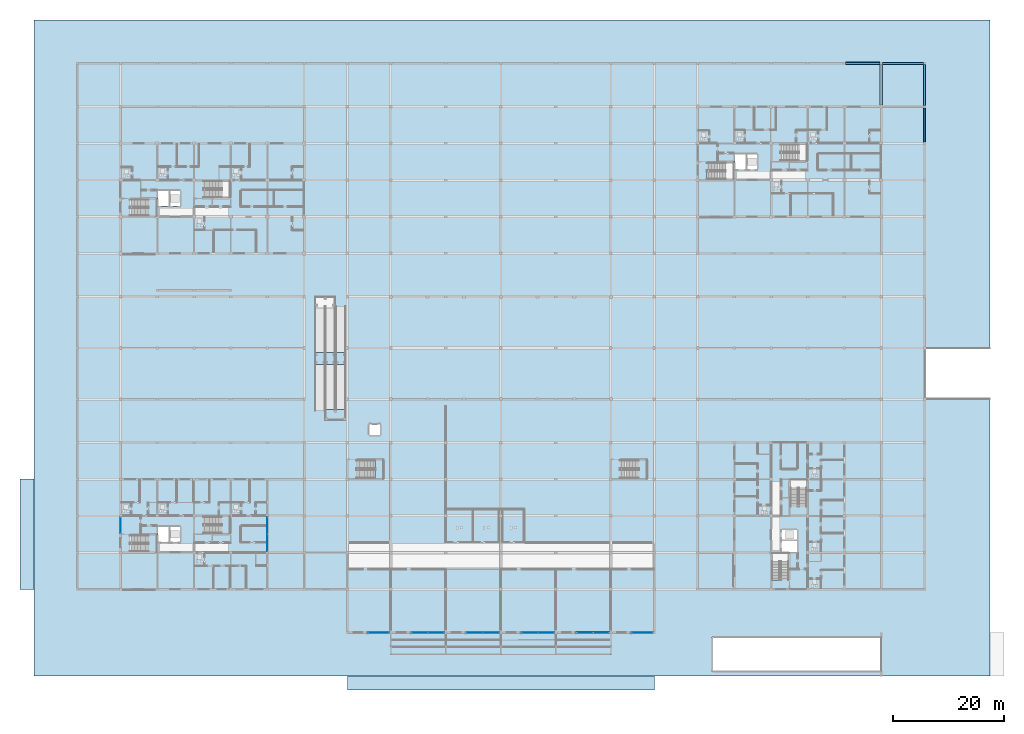
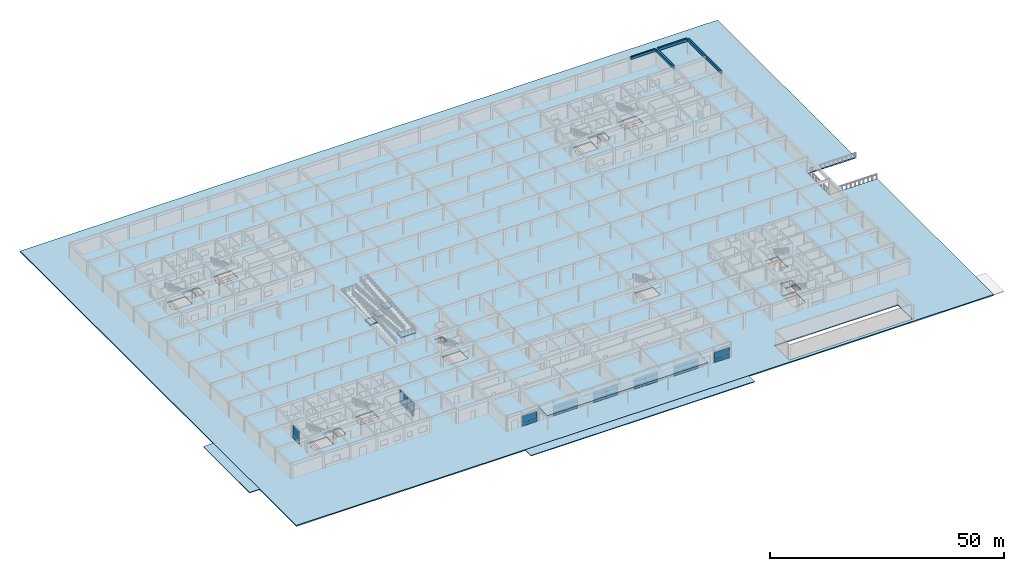
# One storey, part 45 of 75: 26 plates, 13 slabs, 5 beams, 14 elements without a shape of their own.
"""IFC4 building model written with IfcOpenShell, lengths in metres."""

from ifc_helpers import new_model, si_unit, direction, frame, origin, origin_2d, place, context, subcontext, project, spatial, polyline, rectangle, outline, extrude, material, layer, layer_set, material_profile, profile_set, type_object, element, aggregate, save


model = new_model("IFC4")

# Units and contexts
model_context = context("Model", 3, precision=1e-05, world=origin(), true_north=direction((0.0, 1.0)))
body_context = subcontext(model_context, "Body", "Model", "MODEL_VIEW")
ifc_project = project(units=[si_unit("LENGTHUNIT", "METRE"), si_unit("AREAUNIT", "SQUARE_METRE"), si_unit("VOLUMEUNIT", "CUBIC_METRE"), si_unit("PLANEANGLEUNIT", "RADIAN"), si_unit("MASSUNIT", "GRAM", prefix="KILO")], contexts=[model_context])

# Site, building, storey
site_placement = place(None, origin())
site = spatial("IfcSite", under=ifc_project, at=site_placement, CompositionType="ELEMENT")
building_placement = place(site_placement, origin())
building = spatial("IfcBuilding", under=site, at=building_placement, Name="Kernevlak Ridge Housing Community", CompositionType="ELEMENT")
storey_placement = place(building_placement, origin())
storey = spatial("IfcBuildingStorey", under=building, at=storey_placement, Name="L00", CompositionType="ELEMENT", Elevation=0.0)

# Beams
ifc_material_1 = material(Name="Concrete C35/45", Category="concrete")
ifc_material_profile_1 = material_profile(ifc_material_1, rectangle(XDim=0.39990234375, YDim=0.699951171875, at=origin_2d()), Name="RC 400x700")
ifc_profile_set_1 = profile_set([ifc_material_profile_1], Name="Concrete C35/45")
beam_type_1 = type_object("IfcBeamType", Name="B-01", PredefinedType="BEAM", material=ifc_profile_set_1)
beam_1_placement = place(storey_placement, frame((152.625, 110.199951171875, 3.85009765625), z_axis=(1.0, 0.0, 0.0), x_axis=(0.0, 1.0, 0.0)))
element("IfcBeam", 1, at=beam_1_placement, inside=storey, type_object=beam_type_1, Name="Beam B-01 L00 2268", PredefinedType="BEAM", context=body_context, shape_type="SweptSolid", body=[
    extrude(rectangle(XDim=0.39990234375, YDim=0.699951171875, at=origin_2d()), origin(), (0.0, 0.0, 1.0), 7.35009765625),
])
beam_2_placement = place(storey_placement, frame((152.39990234375, 102.72509765625, 3.85009765625), z_axis=(0.0, 1.0, 0.0), x_axis=(-1.0, 0.0, 0.0)))
element("IfcBeam", 2, at=beam_2_placement, inside=storey, type_object=beam_type_1, Name="Beam B-01 L00 2388", PredefinedType="BEAM", context=body_context, shape_type="SweptSolid", body=[
    extrude(rectangle(XDim=0.39990234375, YDim=0.699951171875, at=origin_2d()), origin(), (0.0, 0.0, 1.0), 7.25),
])
beam_3_placement = place(storey_placement, frame((160.199951171875, 102.625, 3.85009765625), z_axis=(0.0, 1.0, 0.0), x_axis=(-1.0, 0.0, 0.0)))
element("IfcBeam", 3, at=beam_3_placement, inside=storey, type_object=beam_type_1, Name="Beam B-01 L00 2401", PredefinedType="BEAM", context=body_context, shape_type="SweptSolid", body=[
    extrude(rectangle(XDim=0.39990234375, YDim=0.699951171875, at=origin_2d()), origin(), (0.0, 0.0, 1.0), 7.35009765625),
])
ifc_material_profile_2 = material_profile(ifc_material_1, rectangle(XDim=0.35009765625, YDim=0.64990234375, at=origin_2d()), Name="RC 350x650")
ifc_profile_set_2 = profile_set([ifc_material_profile_2], Name="Concrete C35/45")
beam_type_2 = type_object("IfcBeamType", Name="B-02", PredefinedType="BEAM", material=ifc_profile_set_2)
for number, where, z_axis, x_axis, name in (
    (4, (146.02490234375, 110.199951171875, 3.875), (1.0, 0.0, 0.0), (0.0, 1.0, 0.0), "Beam B-02 L00 2267"),
    (5, (160.199951171875, 96.02490234375, 3.875), (0.0, 1.0, 0.0), (-1.0, 0.0, 0.0), "Beam B-02 L00 2400"),
):
    element("IfcBeam", number, at=place(storey_placement, frame(where, z_axis=z_axis, x_axis=x_axis)), inside=storey, type_object=beam_type_2, Name=name, PredefinedType="BEAM", context=body_context, shape_type="SweptSolid", body=[
        extrude(rectangle(XDim=0.35009765625, YDim=0.64990234375, at=origin_2d()), origin(), (0.0, 0.0, 1.0), 6.150146484375),
    ])

# Curtain wall, plate
ifc_material_2 = material(Name="Aluminium EN AW-6060 anodised and laminated glass", Category="aluminium")
curtain_wall_type_1 = type_object("IfcCurtainWallType", Name="CW-02", PredefinedType="NOTDEFINED", material=ifc_material_2)
curtain_wall_1_placement = place(storey_placement, origin())
curtain_wall_1 = element("IfcCurtainWall", 6, at=curtain_wall_1_placement, inside=storey, type_object=curtain_wall_type_1, Name="Curtain wall CW-02 CW-L00-140", PredefinedType="NOTDEFINED")
ifc_material_3 = material(Name="Acoustic laminated double glazing glass", Category="glass")
ifc_layer_1 = layer(ifc_material_3, 0.028076171875, Name="Acoustic laminated double glazing glass")
ifc_layer_set_1 = layer_set([ifc_layer_1], Name="Acoustic laminated double glazing glass")
plate_type_1 = type_object("IfcPlateType", Name="CP-02", PredefinedType="CURTAIN_PANEL", material=ifc_layer_set_1)
plate_1_placement = place(storey_placement, frame((15.60009765625, 27.092529296875, 0.88232421875), z_axis=(0.0, 0.0, 1.0), x_axis=(0.0, 1.0, 0.0)))
plate_1 = element("IfcPlate", 7, at=plate_1_placement, type_object=plate_type_1, Name="CW-02 panel 1.2", PredefinedType="CURTAIN_PANEL", context=body_context, shape_type="SweptSolid", body=[
    extrude(rectangle(XDim=2.8349609375, YDim=0.028076171875, at=origin_2d()), origin(), (0.0, 0.0, 1.0), 2.652587890625),
])

# Curtain wall, plates
curtain_wall_2_placement = place(storey_placement, origin())
curtain_wall_2 = element("IfcCurtainWall", 8, at=curtain_wall_2_placement, inside=storey, type_object=curtain_wall_type_1, Name="Curtain wall CW-02 CW-L00-141", PredefinedType="NOTDEFINED")
plate_2_placement = place(storey_placement, frame((42.0, 23.976318359375, 0.87744140625), z_axis=(0.0, 0.0, 1.0), x_axis=(0.0, 1.0, 0.0)))
plate_2 = element("IfcPlate", 9, at=plate_2_placement, type_object=plate_type_1, Name="CW-02 panel 1.2", PredefinedType="CURTAIN_PANEL", context=body_context, shape_type="SweptSolid", body=[
    extrude(rectangle(XDim=2.992431640625, YDim=0.028076171875, at=origin_2d()), origin(), (0.0, 0.0, 1.0), 2.66748046875),
])
plate_3_placement = place(storey_placement, frame((42.0, 27.023681640625, 0.87744140625), z_axis=(0.0, 0.0, 1.0), x_axis=(0.0, 1.0, 0.0)))
plate_3 = element("IfcPlate", 10, at=plate_3_placement, type_object=plate_type_1, Name="CW-02 panel 2.2", PredefinedType="CURTAIN_PANEL", context=body_context, shape_type="SweptSolid", body=[
    extrude(rectangle(XDim=2.992431640625, YDim=0.028076171875, at=origin_2d()), origin(), (0.0, 0.0, 1.0), 2.66748046875),
])

# Curtain wall, plate
curtain_wall_type_2 = type_object("IfcCurtainWallType", Name="CW-01", PredefinedType="NOTDEFINED", material=ifc_material_2)
curtain_wall_3_placement = place(storey_placement, origin())
curtain_wall_3 = element("IfcCurtainWall", 11, at=curtain_wall_3_placement, inside=storey, type_object=curtain_wall_type_2, Name="Curtain wall CW-01 CW-L00-169", PredefinedType="NOTDEFINED")
plate_4_placement = place(storey_placement, frame((62.02490234375, 7.800048828125, 0.8798828125), z_axis=(0.0, 0.0, 1.0), x_axis=(1.0, 0.0, 0.0)))
plate_4 = element("IfcPlate", 12, at=plate_4_placement, type_object=plate_type_1, Name="CW-01 panel 1.2", PredefinedType="CURTAIN_PANEL", context=body_context, shape_type="SweptSolid", body=[
    extrude(rectangle(XDim=3.72998046875, YDim=0.028076171875, at=origin_2d()), origin(), (0.0, 0.0, 1.0), 1.81005859375),
])

# Curtain wall, plates
curtain_wall_4_placement = place(storey_placement, origin())
curtain_wall_4 = element("IfcCurtainWall", 13, at=curtain_wall_4_placement, inside=storey, type_object=curtain_wall_type_1, Name="Curtain wall CW-02 CW-L00-170", PredefinedType="NOTDEFINED")
plate_5_placement = place(storey_placement, frame((69.40380859375, 7.800048828125, 0.88232421875), z_axis=(0.0, 0.0, 1.0), x_axis=(1.0, 0.0, 0.0)))
plate_5 = element("IfcPlate", 14, at=plate_5_placement, type_object=plate_type_1, Name="CW-02 panel 1.2", PredefinedType="CURTAIN_PANEL", context=body_context, shape_type="SweptSolid", body=[
    extrude(rectangle(XDim=2.87744140625, YDim=0.028076171875, at=origin_2d()), origin(), (0.0, 0.0, 1.0), 1.802490234375),
])
plate_6_placement = place(storey_placement, frame((72.34619140625, 7.800048828125, 0.88232421875), z_axis=(0.0, 0.0, 1.0), x_axis=(1.0, 0.0, 0.0)))
plate_6 = element("IfcPlate", 15, at=plate_6_placement, type_object=plate_type_1, Name="CW-02 panel 2.2", PredefinedType="CURTAIN_PANEL", context=body_context, shape_type="SweptSolid", body=[
    extrude(rectangle(XDim=2.87744140625, YDim=0.028076171875, at=origin_2d()), origin(), (0.0, 0.0, 1.0), 1.802490234375),
])

curtain_wall_type_3 = type_object("IfcCurtainWallType", Name="CW-03", PredefinedType="NOTDEFINED", material=ifc_material_2)
curtain_wall_5_placement = place(storey_placement, origin())
curtain_wall_5 = element("IfcCurtainWall", 16, at=curtain_wall_5_placement, inside=storey, type_object=curtain_wall_type_3, Name="Curtain wall CW-03 CW-L00-171", PredefinedType="NOTDEFINED")
plate_7_placement = place(storey_placement, frame((79.30126953125, 7.800048828125, 0.87744140625), z_axis=(0.0, 0.0, 1.0), x_axis=(1.0, 0.0, 0.0)))
plate_7 = element("IfcPlate", 17, at=plate_7_placement, type_object=plate_type_1, Name="CW-03 panel 1.2", PredefinedType="CURTAIN_PANEL", context=body_context, shape_type="SweptSolid", body=[
    extrude(rectangle(XDim=2.892578125, YDim=0.028076171875, at=origin_2d()), origin(), (0.0, 0.0, 1.0), 1.8173828125),
])
plate_8_placement = place(storey_placement, frame((82.248779296875, 7.800048828125, 0.87744140625), z_axis=(0.0, 0.0, 1.0), x_axis=(1.0, 0.0, 0.0)))
plate_8 = element("IfcPlate", 18, at=plate_8_placement, type_object=plate_type_1, Name="CW-03 panel 2.2", PredefinedType="CURTAIN_PANEL", context=body_context, shape_type="SweptSolid", body=[
    extrude(rectangle(XDim=2.892578125, YDim=0.028076171875, at=origin_2d()), origin(), (0.0, 0.0, 1.0), 1.8173828125),
])

curtain_wall_type_4 = type_object("IfcCurtainWallType", Name="CW-04", PredefinedType="NOTDEFINED", material=ifc_material_2)
curtain_wall_6_placement = place(storey_placement, origin())
curtain_wall_6 = element("IfcCurtainWall", 19, at=curtain_wall_6_placement, inside=storey, type_object=curtain_wall_type_4, Name="Curtain wall CW-04 CW-L00-172", PredefinedType="NOTDEFINED")
plate_9_placement = place(storey_placement, frame((89.202392578125, 7.800048828125, 0.8798828125), z_axis=(0.0, 0.0, 1.0), x_axis=(1.0, 0.0, 0.0)))
plate_9 = element("IfcPlate", 20, at=plate_9_placement, type_object=plate_type_1, Name="CW-04 panel 1.2", PredefinedType="CURTAIN_PANEL", context=body_context, shape_type="SweptSolid", body=[
    extrude(rectangle(XDim=2.885009765625, YDim=0.028076171875, at=origin_2d()), origin(), (0.0, 0.0, 1.0), 1.81005859375),
])
plate_10_placement = place(storey_placement, frame((92.1474609375, 7.800048828125, 0.8798828125), z_axis=(0.0, 0.0, 1.0), x_axis=(1.0, 0.0, 0.0)))
plate_10 = element("IfcPlate", 21, at=plate_10_placement, type_object=plate_type_1, Name="CW-04 panel 2.2", PredefinedType="CURTAIN_PANEL", context=body_context, shape_type="SweptSolid", body=[
    extrude(rectangle(XDim=2.885009765625, YDim=0.028076171875, at=origin_2d()), origin(), (0.0, 0.0, 1.0), 1.81005859375),
])

curtain_wall_type_5 = type_object("IfcCurtainWallType", Name="CW-05", PredefinedType="NOTDEFINED", material=ifc_material_2)
curtain_wall_7_placement = place(storey_placement, origin())
curtain_wall_7 = element("IfcCurtainWall", 22, at=curtain_wall_7_placement, inside=storey, type_object=curtain_wall_type_5, Name="Curtain wall CW-05 CW-L00-173", PredefinedType="NOTDEFINED")
plate_11_placement = place(storey_placement, frame((99.103759765625, 7.800048828125, 0.88232421875), z_axis=(0.0, 0.0, 1.0), x_axis=(1.0, 0.0, 0.0)))
plate_11 = element("IfcPlate", 23, at=plate_11_placement, type_object=plate_type_1, Name="CW-05 panel 1.2", PredefinedType="CURTAIN_PANEL", context=body_context, shape_type="SweptSolid", body=[
    extrude(rectangle(XDim=2.87744140625, YDim=0.028076171875, at=origin_2d()), origin(), (0.0, 0.0, 1.0), 1.802490234375),
])
plate_12_placement = place(storey_placement, frame((102.046142578125, 7.800048828125, 0.88232421875), z_axis=(0.0, 0.0, 1.0), x_axis=(1.0, 0.0, 0.0)))
plate_12 = element("IfcPlate", 24, at=plate_12_placement, type_object=plate_type_1, Name="CW-05 panel 2.2", PredefinedType="CURTAIN_PANEL", context=body_context, shape_type="SweptSolid", body=[
    extrude(rectangle(XDim=2.87744140625, YDim=0.028076171875, at=origin_2d()), origin(), (0.0, 0.0, 1.0), 1.802490234375),
])

# Curtain wall, plate
curtain_wall_type_6 = type_object("IfcCurtainWallType", Name="CW-06", PredefinedType="NOTDEFINED", material=ifc_material_2)
curtain_wall_8_placement = place(storey_placement, origin())
curtain_wall_8 = element("IfcCurtainWall", 25, at=curtain_wall_8_placement, inside=storey, type_object=curtain_wall_type_6, Name="Curtain wall CW-06 CW-L00-174", PredefinedType="NOTDEFINED")
plate_13_placement = place(storey_placement, frame((109.425048828125, 7.800048828125, 0.87744140625), z_axis=(0.0, 0.0, 1.0), x_axis=(1.0, 0.0, 0.0)))
plate_13 = element("IfcPlate", 26, at=plate_13_placement, type_object=plate_type_1, Name="CW-06 panel 1.2", PredefinedType="CURTAIN_PANEL", context=body_context, shape_type="SweptSolid", body=[
    extrude(rectangle(XDim=3.739990234375, YDim=0.028076171875, at=origin_2d()), origin(), (0.0, 0.0, 1.0), 1.8173828125),
])

# Plate
ifc_material_4 = material(Name="Aluminium EN AW-5005 enamelled panel", Category="aluminium")
ifc_layer_2 = layer(ifc_material_4, 0.033935546875, Name="Aluminium EN AW-5005 enamelled panel")
ifc_layer_set_2 = layer_set([ifc_layer_2], Name="Aluminium EN AW-5005 enamelled panel")
plate_type_2 = type_object("IfcPlateType", Name="CP-03", PredefinedType="CURTAIN_PANEL", material=ifc_layer_set_2)
plate_14_placement = place(storey_placement, frame((15.60009765625, 27.092529296875, 0.06494140625), z_axis=(0.0, 0.0, 1.0), x_axis=(0.0, 1.0, 0.0)))
plate_14 = element("IfcPlate", 27, at=plate_14_placement, type_object=plate_type_2, Name="CW-02 panel 1.1", PredefinedType="CURTAIN_PANEL", context=body_context, shape_type="SweptSolid", body=[
    extrude(rectangle(XDim=2.8349609375, YDim=0.033935546875, at=origin_2d()), origin(), (0.0, 0.0, 1.0), 0.75244140625),
])

aggregate(curtain_wall_1, [plate_14, plate_1])

plate_15_placement = place(storey_placement, frame((62.02490234375, 7.800048828125, 0.06005859375), z_axis=(0.0, 0.0, 1.0), x_axis=(1.0, 0.0, 0.0)))
plate_15 = element("IfcPlate", 28, at=plate_15_placement, type_object=plate_type_2, Name="CW-01 panel 1.1", PredefinedType="CURTAIN_PANEL", context=body_context, shape_type="SweptSolid", body=[
    extrude(rectangle(XDim=3.72998046875, YDim=0.033935546875, at=origin_2d()), origin(), (0.0, 0.0, 1.0), 0.760009765625),
])

aggregate(curtain_wall_3, [plate_15, plate_4])

plate_16_placement = place(storey_placement, frame((109.425048828125, 7.800048828125, 0.054931640625), z_axis=(0.0, 0.0, 1.0), x_axis=(1.0, 0.0, 0.0)))
plate_16 = element("IfcPlate", 29, at=plate_16_placement, type_object=plate_type_2, Name="CW-06 panel 1.1", PredefinedType="CURTAIN_PANEL", context=body_context, shape_type="SweptSolid", body=[
    extrude(rectangle(XDim=3.739990234375, YDim=0.033935546875, at=origin_2d()), origin(), (0.0, 0.0, 1.0), 0.767578125),
])

aggregate(curtain_wall_8, [plate_16, plate_13])

ifc_layer_3 = layer(ifc_material_4, 0.0380859375, Name="Aluminium EN AW-5005 enamelled panel")
ifc_layer_set_3 = layer_set([ifc_layer_3], Name="Aluminium EN AW-5005 enamelled panel")
plate_type_3 = type_object("IfcPlateType", Name="CP-04", PredefinedType="CURTAIN_PANEL", material=ifc_layer_set_3)
plate_17_placement = place(storey_placement, frame((42.0, 23.976318359375, 0.054931640625), z_axis=(0.0, 0.0, 1.0), x_axis=(0.0, 1.0, 0.0)))
plate_17 = element("IfcPlate", 30, at=plate_17_placement, type_object=plate_type_3, Name="CW-02 panel 1.1", PredefinedType="CURTAIN_PANEL", context=body_context, shape_type="SweptSolid", body=[
    extrude(rectangle(XDim=2.992431640625, YDim=0.0380859375, at=origin_2d()), origin(), (0.0, 0.0, 1.0), 0.767578125),
])

plate_18_placement = place(storey_placement, frame((42.0, 27.023681640625, 0.054931640625), z_axis=(0.0, 0.0, 1.0), x_axis=(0.0, 1.0, 0.0)))
plate_18 = element("IfcPlate", 31, at=plate_18_placement, type_object=plate_type_3, Name="CW-02 panel 2.1", PredefinedType="CURTAIN_PANEL", context=body_context, shape_type="SweptSolid", body=[
    extrude(rectangle(XDim=2.992431640625, YDim=0.0380859375, at=origin_2d()), origin(), (0.0, 0.0, 1.0), 0.767578125),
])

aggregate(curtain_wall_2, [plate_17, plate_2, plate_18, plate_3])

plate_19_placement = place(storey_placement, frame((69.40380859375, 7.800048828125, 0.06494140625), z_axis=(0.0, 0.0, 1.0), x_axis=(1.0, 0.0, 0.0)))
plate_19 = element("IfcPlate", 32, at=plate_19_placement, type_object=plate_type_3, Name="CW-02 panel 1.1", PredefinedType="CURTAIN_PANEL", context=body_context, shape_type="SweptSolid", body=[
    extrude(rectangle(XDim=2.87744140625, YDim=0.0380859375, at=origin_2d()), origin(), (0.0, 0.0, 1.0), 0.75244140625),
])

plate_20_placement = place(storey_placement, frame((72.34619140625, 7.800048828125, 0.06494140625), z_axis=(0.0, 0.0, 1.0), x_axis=(1.0, 0.0, 0.0)))
plate_20 = element("IfcPlate", 33, at=plate_20_placement, type_object=plate_type_3, Name="CW-02 panel 2.1", PredefinedType="CURTAIN_PANEL", context=body_context, shape_type="SweptSolid", body=[
    extrude(rectangle(XDim=2.87744140625, YDim=0.0380859375, at=origin_2d()), origin(), (0.0, 0.0, 1.0), 0.75244140625),
])

aggregate(curtain_wall_4, [plate_19, plate_5, plate_20, plate_6])

ifc_layer_4 = layer(ifc_material_4, 0.0419921875, Name="Aluminium EN AW-5005 enamelled panel")
ifc_layer_set_4 = layer_set([ifc_layer_4], Name="Aluminium EN AW-5005 enamelled panel")
plate_type_4 = type_object("IfcPlateType", Name="CP-05", PredefinedType="CURTAIN_PANEL", material=ifc_layer_set_4)
plate_21_placement = place(storey_placement, frame((79.30126953125, 7.800048828125, 0.054931640625), z_axis=(0.0, 0.0, 1.0), x_axis=(1.0, 0.0, 0.0)))
plate_21 = element("IfcPlate", 34, at=plate_21_placement, type_object=plate_type_4, Name="CW-03 panel 1.1", PredefinedType="CURTAIN_PANEL", context=body_context, shape_type="SweptSolid", body=[
    extrude(rectangle(XDim=2.892578125, YDim=0.0419921875, at=origin_2d()), origin(), (0.0, 0.0, 1.0), 0.767578125),
])

plate_22_placement = place(storey_placement, frame((82.248779296875, 7.800048828125, 0.054931640625), z_axis=(0.0, 0.0, 1.0), x_axis=(1.0, 0.0, 0.0)))
plate_22 = element("IfcPlate", 35, at=plate_22_placement, type_object=plate_type_4, Name="CW-03 panel 2.1", PredefinedType="CURTAIN_PANEL", context=body_context, shape_type="SweptSolid", body=[
    extrude(rectangle(XDim=2.892578125, YDim=0.0419921875, at=origin_2d()), origin(), (0.0, 0.0, 1.0), 0.767578125),
])

aggregate(curtain_wall_5, [plate_21, plate_7, plate_22, plate_8])

ifc_material_5 = material(Name="Aluminium EN AW-5005 insulated panel", Category="aluminium")
ifc_layer_5 = layer(ifc_material_5, 0.0458984375, Name="Aluminium EN AW-5005 insulated panel")
ifc_layer_set_5 = layer_set([ifc_layer_5], Name="Aluminium EN AW-5005 insulated panel")
plate_type_5 = type_object("IfcPlateType", Name="CP-06", PredefinedType="CURTAIN_PANEL", material=ifc_layer_set_5)
plate_23_placement = place(storey_placement, frame((89.202392578125, 7.800048828125, 0.06005859375), z_axis=(0.0, 0.0, 1.0), x_axis=(1.0, 0.0, 0.0)))
plate_23 = element("IfcPlate", 36, at=plate_23_placement, type_object=plate_type_5, Name="CW-04 panel 1.1", PredefinedType="CURTAIN_PANEL", context=body_context, shape_type="SweptSolid", body=[
    extrude(rectangle(XDim=2.885009765625, YDim=0.0458984375, at=origin_2d()), origin(), (0.0, 0.0, 1.0), 0.760009765625),
])

plate_24_placement = place(storey_placement, frame((92.1474609375, 7.800048828125, 0.06005859375), z_axis=(0.0, 0.0, 1.0), x_axis=(1.0, 0.0, 0.0)))
plate_24 = element("IfcPlate", 37, at=plate_24_placement, type_object=plate_type_5, Name="CW-04 panel 2.1", PredefinedType="CURTAIN_PANEL", context=body_context, shape_type="SweptSolid", body=[
    extrude(rectangle(XDim=2.885009765625, YDim=0.0458984375, at=origin_2d()), origin(), (0.0, 0.0, 1.0), 0.760009765625),
])

aggregate(curtain_wall_6, [plate_23, plate_9, plate_24, plate_10])

ifc_layer_6 = layer(ifc_material_5, 0.050048828125, Name="Aluminium EN AW-5005 insulated panel")
ifc_layer_set_6 = layer_set([ifc_layer_6], Name="Aluminium EN AW-5005 insulated panel")
plate_type_6 = type_object("IfcPlateType", Name="CP-07", PredefinedType="CURTAIN_PANEL", material=ifc_layer_set_6)
plate_25_placement = place(storey_placement, frame((99.103759765625, 7.800048828125, 0.06494140625), z_axis=(0.0, 0.0, 1.0), x_axis=(1.0, 0.0, 0.0)))
plate_25 = element("IfcPlate", 38, at=plate_25_placement, type_object=plate_type_6, Name="CW-05 panel 1.1", PredefinedType="CURTAIN_PANEL", context=body_context, shape_type="SweptSolid", body=[
    extrude(rectangle(XDim=2.87744140625, YDim=0.050048828125, at=origin_2d()), origin(), (0.0, 0.0, 1.0), 0.75244140625),
])

plate_26_placement = place(storey_placement, frame((102.046142578125, 7.800048828125, 0.06494140625), z_axis=(0.0, 0.0, 1.0), x_axis=(1.0, 0.0, 0.0)))
plate_26 = element("IfcPlate", 39, at=plate_26_placement, type_object=plate_type_6, Name="CW-05 panel 2.1", PredefinedType="CURTAIN_PANEL", context=body_context, shape_type="SweptSolid", body=[
    extrude(rectangle(XDim=2.87744140625, YDim=0.050048828125, at=origin_2d()), origin(), (0.0, 0.0, 1.0), 0.75244140625),
])

aggregate(curtain_wall_7, [plate_25, plate_11, plate_26, plate_12])

# Slabs
ifc_layer_7 = layer(ifc_material_1, 0.280029296875, Name="Concrete C35/45")
ifc_layer_set_7 = layer_set([ifc_layer_7], Name="Concrete C35/45")
slab_type_1 = type_object("IfcSlabType", Name="SL-02", PredefinedType="FLOOR", material=ifc_layer_set_7)
slab_1_placement = place(storey_placement, frame((0.0, 0.0, -0.280029296875)))
element("IfcSlab", 40, at=slab_1_placement, inside=storey, type_object=slab_type_1, Name="Level L00 shared podium floor slab", PredefinedType="FLOOR", context=body_context, shape_type="SweptSolid", body=[
    extrude(outline(polyline([(0.0, 0.0), (172.0, 0.0), (172.0, 49.800048828125), (160.199951171875, 49.800048828125), (160.199951171875, 59.0), (172.0, 59.0), (172.0, 118.0), (0.0, 118.0), (0.0, 0.0)]), holes=[polyline([(122.0, 7.0), (152.39990234375, 7.0), (152.39990234375, 0.800048828125), (122.0, 0.800048828125), (122.0, 7.0)]), polyline([(17.300048828125, 84.25), (17.580078125, 84.25), (17.580078125, 85.75), (22.1201171875, 85.75), (22.1201171875, 82.75), (17.300048828125, 82.75), (17.300048828125, 84.25)]), polyline([(30.5, 87.550048828125), (30.780029296875, 87.550048828125), (30.780029296875, 89.050048828125), (35.320068359375, 89.050048828125), (35.320068359375, 86.050048828125), (30.5, 86.050048828125), (30.5, 87.550048828125)]), polyline([(121.10009765625, 90.85009765625), (121.3798828125, 90.85009765625), (121.3798828125, 92.35009765625), (125.919921875, 92.35009765625), (125.919921875, 89.35009765625), (121.10009765625, 89.35009765625), (121.10009765625, 90.85009765625)]), polyline([(134.300048828125, 94.14990234375), (134.580078125, 94.14990234375), (134.580078125, 95.64990234375), (139.1201171875, 95.64990234375), (139.1201171875, 92.64990234375), (134.300048828125, 92.64990234375), (134.300048828125, 94.14990234375)]), polyline([(132.75, 17.300048828125), (132.75, 22.1201171875), (135.75, 22.1201171875), (135.75, 17.580078125), (134.25, 17.580078125), (134.25, 17.300048828125), (132.75, 17.300048828125)]), polyline([(136.050048828125, 30.5), (136.050048828125, 35.320068359375), (139.050048828125, 35.320068359375), (139.050048828125, 30.780029296875), (137.550048828125, 30.780029296875), (137.550048828125, 30.5), (136.050048828125, 30.5)]), polyline([(17.300048828125, 23.85009765625), (17.580078125, 23.85009765625), (17.580078125, 25.35009765625), (22.1201171875, 25.35009765625), (22.1201171875, 22.35009765625), (17.300048828125, 22.35009765625), (17.300048828125, 23.85009765625)]), polyline([(30.5, 27.14990234375), (30.780029296875, 27.14990234375), (30.780029296875, 28.64990234375), (35.320068359375, 28.64990234375), (35.320068359375, 25.64990234375), (30.5, 25.64990234375), (30.5, 27.14990234375)]), polyline([(58.10009765625, 37.199951171875), (58.3798828125, 37.199951171875), (58.3798828125, 38.85009765625), (62.919921875, 38.85009765625), (62.919921875, 35.550048828125), (58.10009765625, 35.550048828125), (58.10009765625, 37.199951171875)]), polyline([(105.5, 37.199951171875), (105.780029296875, 37.199951171875), (105.780029296875, 38.85009765625), (110.320068359375, 38.85009765625), (110.320068359375, 35.550048828125), (105.5, 35.550048828125), (105.5, 37.199951171875)]), polyline([(22.320068359375, 87.280029296875), (24.280029296875, 87.280029296875), (24.280029296875, 84.52001953125), (22.320068359375, 84.52001953125), (22.320068359375, 87.280029296875)]), polyline([(24.52001953125, 87.280029296875), (26.280029296875, 87.280029296875), (26.280029296875, 84.52001953125), (24.52001953125, 84.52001953125), (24.52001953125, 87.280029296875)]), polyline([(126.1201171875, 93.8798828125), (128.080078125, 93.8798828125), (128.080078125, 91.1201171875), (126.1201171875, 91.1201171875), (126.1201171875, 93.8798828125)]), polyline([(128.320068359375, 93.8798828125), (130.080078125, 93.8798828125), (130.080078125, 91.1201171875), (128.320068359375, 91.1201171875), (128.320068359375, 93.8798828125)]), polyline([(134.52001953125, 24.280029296875), (137.280029296875, 24.280029296875), (137.280029296875, 22.320068359375), (134.52001953125, 22.320068359375), (134.52001953125, 24.280029296875)]), polyline([(134.52001953125, 26.280029296875), (137.280029296875, 26.280029296875), (137.280029296875, 24.52001953125), (134.52001953125, 24.52001953125), (134.52001953125, 26.280029296875)]), polyline([(22.320068359375, 26.8798828125), (24.280029296875, 26.8798828125), (24.280029296875, 24.1201171875), (22.320068359375, 24.1201171875), (22.320068359375, 26.8798828125)]), polyline([(24.52001953125, 26.8798828125), (26.280029296875, 26.8798828125), (26.280029296875, 24.1201171875), (24.52001953125, 24.1201171875), (24.52001953125, 26.8798828125)]), polyline([(60.320068359375, 45.280029296875), (62.280029296875, 45.280029296875), (62.280029296875, 43.320068359375), (60.320068359375, 43.320068359375), (60.320068359375, 45.280029296875)])]), origin(), (0.0, 0.0, 1.0), 0.280029296875),
])
ifc_layer_8 = layer(ifc_material_1, 0.179931640625, Name="Concrete C35/45")
ifc_layer_set_8 = layer_set([ifc_layer_8], Name="Concrete C35/45")
slab_type_2 = type_object("IfcSlabType", Name="SL-09", PredefinedType="ROOF", material=ifc_layer_set_8)
slab_2_placement = place(storey_placement, frame((0.0, 0.0, 3.6201171875)))
element("IfcSlab", 41, at=slab_2_placement, inside=storey, type_object=slab_type_2, Name="South retail entrance canopy roof slab", PredefinedType="ROOF", context=body_context, shape_type="SweptSolid", body=[
    extrude(outline(polyline([(64.199951171875, 3.89990234375), (103.800048828125, 3.89990234375), (103.800048828125, 7.800048828125), (64.199951171875, 7.800048828125), (64.199951171875, 3.89990234375)])), origin(), (0.0, 0.0, 1.0), 0.179931640625),
])
ifc_layer_9 = layer(ifc_material_1, 0.199951171875, Name="Concrete C35/45")
ifc_layer_set_9 = layer_set([ifc_layer_9], Name="Concrete C35/45")
slab_type_3 = type_object("IfcSlabType", Name="SL-11", PredefinedType="USERDEFINED", material=ifc_layer_set_9)
slab_3_placement = place(storey_placement, frame((0.0, 0.0, -0.199951171875)))
element("IfcSlab", 42, at=slab_3_placement, inside=storey, type_object=slab_type_3, Name="South retail entrance forecourt paving", ObjectType="PAVING", PredefinedType="USERDEFINED", context=body_context, shape_type="SweptSolid", body=[
    extrude(outline(polyline([(56.39990234375, -2.5), (111.60009765625, -2.5), (111.60009765625, 0.0), (56.39990234375, 0.0), (56.39990234375, -2.5)])), origin(), (0.0, 0.0, 1.0), 0.199951171875),
])
ifc_layer_10 = layer(ifc_material_1, 0.179931640625, Name="Concrete C35/45")
ifc_layer_set_10 = layer_set([ifc_layer_10], Name="Concrete C35/45")
slab_type_4 = type_object("IfcSlabType", Name="SL-12", PredefinedType="USERDEFINED", material=ifc_layer_set_10)
slab_4_placement = place(storey_placement, frame((0.0, 0.0, -0.179931640625)))
element("IfcSlab", 43, at=slab_4_placement, inside=storey, type_object=slab_type_4, Name="West lower entrance paving", ObjectType="PAVING", PredefinedType="USERDEFINED", context=body_context, shape_type="SweptSolid", body=[
    extrude(outline(polyline([(-2.5, 15.60009765625), (0.0, 15.60009765625), (0.0, 35.39990234375), (-2.5, 35.39990234375), (-2.5, 15.60009765625)])), origin(), (0.0, 0.0, 1.0), 0.179931640625),
])

# Stair, slab
stair_type_1 = type_object("IfcStairType", Name="SR-02", PredefinedType="HALF_TURN_STAIR", material=ifc_material_1)
stair_1_placement = place(storey_placement, origin())
stair_1 = element("IfcStair", 44, at=stair_1_placement, inside=storey, type_object=stair_type_1, Name="Stair ST-A1 L00", PredefinedType="HALF_TURN_STAIR")
ifc_layer_11 = layer(ifc_material_1, 0.18994140625, Name="Concrete C35/45")
ifc_layer_set_11 = layer_set([ifc_layer_11], Name="Concrete C35/45")
slab_type_5 = type_object("IfcSlabType", Name="SL-13", PredefinedType="LANDING", material=ifc_layer_set_11)
slab_5_placement = place(storey_placement, frame((0.0, 0.0, 1.909912109375)))
slab_5 = element("IfcSlab", 45, at=slab_5_placement, type_object=slab_type_5, Name="SR-02 landing 1", PredefinedType="LANDING", context=body_context, shape_type="SweptSolid", body=[
    extrude(outline(polyline([(20.5400390625, 82.64990234375), (22.14990234375, 82.64990234375), (22.14990234375, 85.85009765625), (20.5400390625, 85.85009765625), (20.5400390625, 82.64990234375)])), origin(), (0.0, 0.0, 1.0), 0.190185546875),
])
aggregate(stair_1, [slab_5])

stair_2_placement = place(storey_placement, origin())
stair_2 = element("IfcStair", 46, at=stair_2_placement, inside=storey, type_object=stair_type_1, Name="Stair ST-D1 L00", PredefinedType="HALF_TURN_STAIR")
slab_6_placement = place(storey_placement, frame((0.0, 0.0, 1.909912109375)))
slab_6 = element("IfcSlab", 47, at=slab_6_placement, type_object=slab_type_5, Name="SR-02 landing 1", PredefinedType="LANDING", context=body_context, shape_type="SweptSolid", body=[
    extrude(outline(polyline([(20.5400390625, 22.25), (22.14990234375, 22.25), (22.14990234375, 25.449951171875), (20.5400390625, 25.449951171875), (20.5400390625, 22.25)])), origin(), (0.0, 0.0, 1.0), 0.190185546875),
])
aggregate(stair_2, [slab_6])

stair_3_placement = place(storey_placement, origin())
stair_3 = element("IfcStair", 48, at=stair_3_placement, inside=storey, type_object=stair_type_1, Name="Stair ST-D2 L00", PredefinedType="HALF_TURN_STAIR")
slab_7_placement = place(storey_placement, frame((0.0, 0.0, 1.909912109375)))
slab_7 = element("IfcSlab", 49, at=slab_7_placement, type_object=slab_type_5, Name="SR-02 landing 1", PredefinedType="LANDING", context=body_context, shape_type="SweptSolid", body=[
    extrude(outline(polyline([(33.739990234375, 25.550048828125), (35.35009765625, 25.550048828125), (35.35009765625, 28.75), (33.739990234375, 28.75), (33.739990234375, 25.550048828125)])), origin(), (0.0, 0.0, 1.0), 0.190185546875),
])
aggregate(stair_3, [slab_7])

stair_type_2 = type_object("IfcStairType", Name="SR-04", PredefinedType="HALF_TURN_STAIR", material=ifc_material_1)
stair_4_placement = place(storey_placement, origin())
stair_4 = element("IfcStair", 50, at=stair_4_placement, inside=storey, type_object=stair_type_2, Name="Stair ST-P1 L00", PredefinedType="HALF_TURN_STAIR")
ifc_layer_12 = layer(ifc_material_1, 0.205078125, Name="Concrete C35/45")
ifc_layer_set_12 = layer_set([ifc_layer_12], Name="Concrete C35/45")
slab_type_6 = type_object("IfcSlabType", Name="SL-14", PredefinedType="LANDING", material=ifc_layer_set_12)
slab_8_placement = place(storey_placement, frame((0.0, 0.0, 1.89501953125)))
slab_8 = element("IfcSlab", 51, at=slab_8_placement, type_object=slab_type_6, Name="SR-04 landing 1", PredefinedType="LANDING", context=body_context, shape_type="SweptSolid", body=[
    extrude(outline(polyline([(61.340087890625, 35.449951171875), (62.949951171875, 35.449951171875), (62.949951171875, 38.949951171875), (61.340087890625, 38.949951171875), (61.340087890625, 35.449951171875)])), origin(), (0.0, 0.0, 1.0), 0.205078125),
])
aggregate(stair_4, [slab_8])

stair_5_placement = place(storey_placement, origin())
stair_5 = element("IfcStair", 52, at=stair_5_placement, inside=storey, type_object=stair_type_2, Name="Stair ST-P2 L00", PredefinedType="HALF_TURN_STAIR")
slab_9_placement = place(storey_placement, frame((0.0, 0.0, 1.89501953125)))
slab_9 = element("IfcSlab", 53, at=slab_9_placement, type_object=slab_type_6, Name="SR-04 landing 1", PredefinedType="LANDING", context=body_context, shape_type="SweptSolid", body=[
    extrude(outline(polyline([(108.739990234375, 35.449951171875), (110.35009765625, 35.449951171875), (110.35009765625, 38.949951171875), (108.739990234375, 38.949951171875), (108.739990234375, 35.449951171875)])), origin(), (0.0, 0.0, 1.0), 0.205078125),
])
aggregate(stair_5, [slab_9])

# Ramp, slabs
ramp_type = type_object("IfcRampType", Name="RM-01", PredefinedType="HALF_TURN_RAMP", material=ifc_material_1)
ramp_placement = place(storey_placement, origin())
ramp = element("IfcRamp", 54, at=ramp_placement, inside=storey, type_object=ramp_type, Name="Step-free civic plaza accessible ramp RM-01", PredefinedType="HALF_TURN_RAMP")
ifc_layer_13 = layer(ifc_material_1, 0.260009765625, Name="Concrete C35/45")
ifc_layer_set_13 = layer_set([ifc_layer_13], Name="Concrete C35/45")
slab_type_7 = type_object("IfcSlabType", Name="SL-19", PredefinedType="LANDING", material=ifc_layer_set_13)
slab_10_placement = place(storey_placement, frame((0.0, 0.0, 0.43994140625)))
slab_10 = element("IfcSlab", 55, at=slab_10_placement, type_object=slab_type_7, Name="Accessible ramp landing 1", PredefinedType="LANDING", context=body_context, shape_type="SweptSolid", body=[
    extrude(outline(polyline([(50.550048828125, 56.02001953125), (52.35009765625, 56.02001953125), (52.35009765625, 58.179931640625), (50.550048828125, 58.179931640625), (50.550048828125, 56.02001953125)])), origin(), (0.0, 0.0, 1.0), 0.260009765625),
])
slab_11_placement = place(storey_placement, frame((0.0, 0.0, 1.840087890625)))
slab_11 = element("IfcSlab", 56, at=slab_11_placement, type_object=slab_type_7, Name="Accessible ramp landing 3", PredefinedType="LANDING", context=body_context, shape_type="SweptSolid", body=[
    extrude(outline(polyline([(52.419921875, 56.02001953125), (54.219970703125, 56.02001953125), (54.219970703125, 58.179931640625), (52.419921875, 58.179931640625), (52.419921875, 56.02001953125)])), origin(), (0.0, 0.0, 1.0), 0.260009765625),
])
slab_12_placement = place(storey_placement, frame((0.0, 0.0, 2.5400390625)))
slab_12 = element("IfcSlab", 57, at=slab_12_placement, type_object=slab_type_7, Name="Accessible ramp landing 4", PredefinedType="LANDING", context=body_context, shape_type="SweptSolid", body=[
    extrude(outline(polyline([(52.419921875, 46.0), (56.10009765625, 46.0), (56.10009765625, 47.97998046875), (52.419921875, 47.97998046875), (52.419921875, 46.0)])), origin(), (0.0, 0.0, 1.0), 0.260009765625),
])
slab_13_placement = place(storey_placement, frame((0.0, 0.0, 3.239990234375)))
slab_13 = element("IfcSlab", 58, at=slab_13_placement, type_object=slab_type_7, Name="Accessible ramp landing 5", PredefinedType="LANDING", context=body_context, shape_type="SweptSolid", body=[
    extrude(outline(polyline([(54.300048828125, 56.02001953125), (56.10009765625, 56.02001953125), (56.10009765625, 58.179931640625), (54.300048828125, 58.179931640625), (54.300048828125, 56.02001953125)])), origin(), (0.0, 0.0, 1.0), 0.260009765625),
])
aggregate(ramp, [slab_10, slab_11, slab_12, slab_13])

save(model, "model.ifc")
